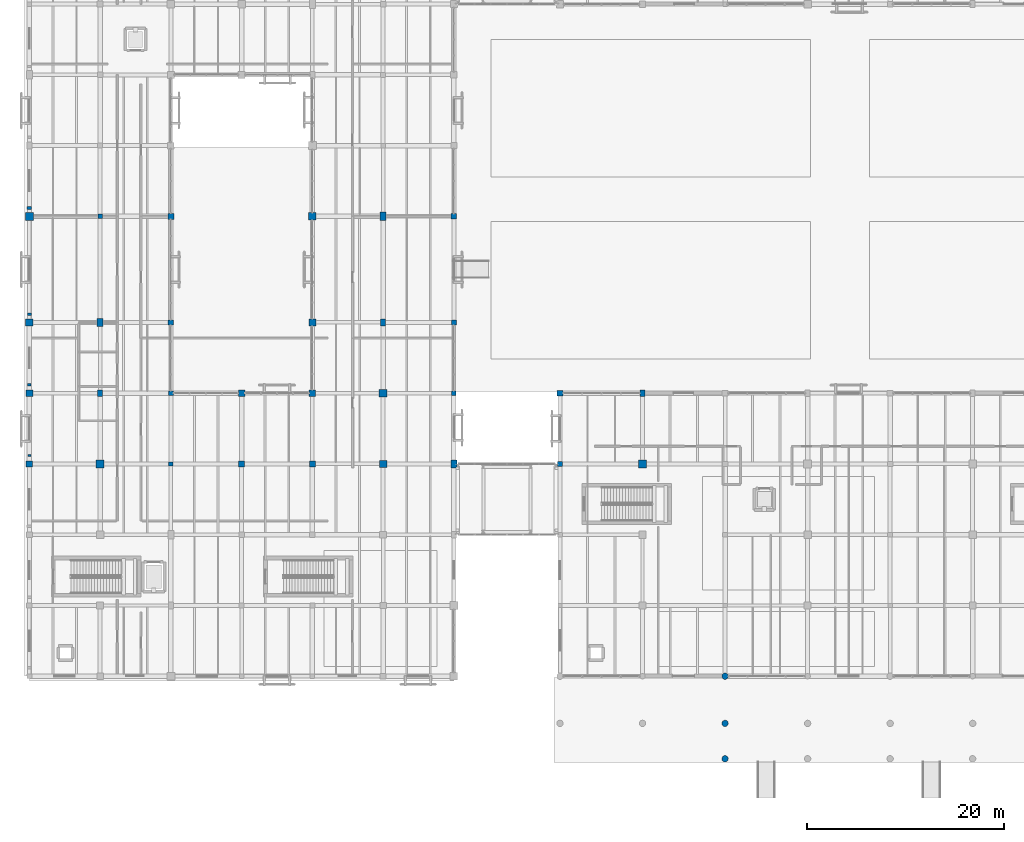
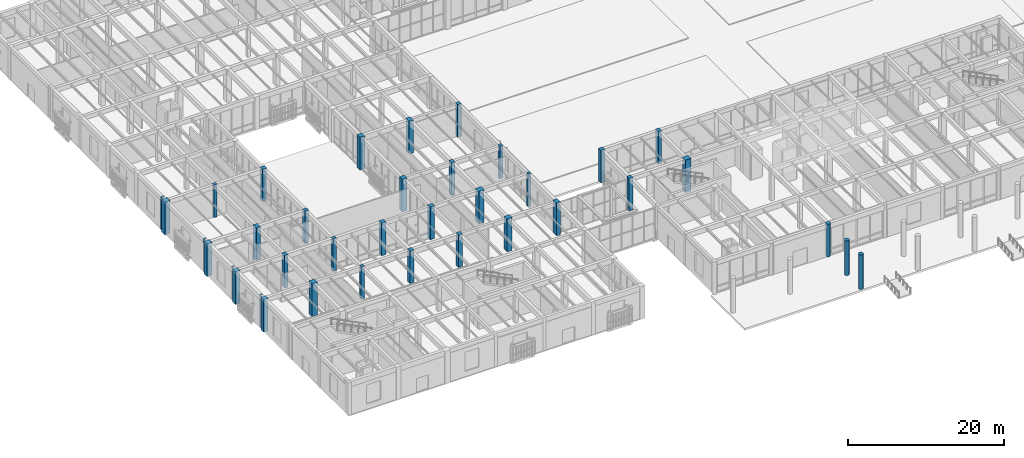
# One storey, part 3 of 169: 37 columns.
"""IFC4 building model written with IfcOpenShell, lengths in metres."""

from ifc_helpers import new_model, si_unit, direction, frame, origin, origin_2d, place, context, subcontext, project, spatial, rectangle, circle, extrude, material, material_profile, profile_set, type_object, element, save


model = new_model("IFC4")

# Units and contexts
model_context = context("Model", 3, precision=1e-05, world=origin(), true_north=direction((0.0, 1.0)))
body_context = subcontext(model_context, "Body", "Model", "MODEL_VIEW")
ifc_project = project(units=[si_unit("LENGTHUNIT", "METRE"), si_unit("AREAUNIT", "SQUARE_METRE"), si_unit("VOLUMEUNIT", "CUBIC_METRE"), si_unit("PLANEANGLEUNIT", "RADIAN"), si_unit("MASSUNIT", "GRAM", prefix="KILO")], contexts=[model_context])

# Site, building, storey
site_placement = place(None, origin())
site = spatial("IfcSite", under=ifc_project, at=site_placement, CompositionType="ELEMENT")
building_placement = place(site_placement, origin())
building = spatial("IfcBuilding", under=site, at=building_placement, Name="Mazaris Harbour Polytechnic", CompositionType="ELEMENT")
storey_placement = place(building_placement, origin())
storey = spatial("IfcBuildingStorey", under=building, at=storey_placement, Name="L00", CompositionType="ELEMENT", Elevation=0.0)

# Columns
ifc_material_1 = material(Name="Concrete C35/45", Category="concrete")
ifc_material_profile_1 = material_profile(ifc_material_1, rectangle(XDim=0.320068359375, YDim=0.219970703125, at=origin_2d()), Name="RECT320x220")
ifc_profile_set_1 = profile_set([ifc_material_profile_1], Name="Concrete C35/45")
column_type_1 = type_object("IfcColumnType", Name="Limestone Pilaster 320x220", PredefinedType="PILASTER", material=ifc_profile_set_1)
column_1_placement = place(storey_placement, frame((0.0, 29.64990234375, 0.0), z_axis=(0.0, 0.0, 1.0), x_axis=(1.0, 0.0, 0.0)))
element("IfcColumn", 1, at=column_1_placement, inside=storey, type_object=column_type_1, Name="V4 L00 Giant Order Pilaster 16", PredefinedType="PILASTER", context=body_context, shape_type="SweptSolid", body=[
    extrude(rectangle(XDim=0.320068359375, YDim=0.219970703125, at=origin_2d()), origin(), (0.0, 0.0, 1.0), 5.10009765625),
])
ifc_material_2 = material(Name="Concrete C35/45", Category="concrete")
ifc_material_profile_2 = material_profile(ifc_material_2, rectangle(XDim=0.360107421875, YDim=0.239990234375, at=origin_2d()), Name="RECT360x240")
ifc_profile_set_2 = profile_set([ifc_material_profile_2], Name="Concrete C35/45")
column_type_2 = type_object("IfcColumnType", Name="Limestone Pilaster 360x240", PredefinedType="PILASTER", material=ifc_profile_set_2)
column_2_placement = place(storey_placement, frame((0.0, 36.85009765625, 0.0), z_axis=(0.0, 0.0, 1.0), x_axis=(1.0, 0.0, 0.0)))
element("IfcColumn", 2, at=column_2_placement, inside=storey, type_object=column_type_2, Name="V4 L00 Giant Order Pilaster 17", PredefinedType="PILASTER", context=body_context, shape_type="SweptSolid", body=[
    extrude(rectangle(XDim=0.360107421875, YDim=0.239990234375, at=origin_2d()), origin(), (0.0, 0.0, 1.0), 5.10009765625),
])
ifc_material_3 = material(Name="Concrete C35/45", Category="concrete")
ifc_material_profile_3 = material_profile(ifc_material_3, rectangle(XDim=0.39990234375, YDim=0.260009765625, at=origin_2d()), Name="RECT400x260")
ifc_profile_set_3 = profile_set([ifc_material_profile_3], Name="Concrete C35/45")
column_type_3 = type_object("IfcColumnType", Name="Limestone Pilaster 400x260", PredefinedType="PILASTER", material=ifc_profile_set_3)
column_3_placement = place(storey_placement, frame((0.0, 44.050048828125, 0.0), z_axis=(0.0, 0.0, 1.0), x_axis=(1.0, 0.0, 0.0)))
element("IfcColumn", 3, at=column_3_placement, inside=storey, type_object=column_type_3, Name="V4 L00 Giant Order Pilaster 18", PredefinedType="PILASTER", context=body_context, shape_type="SweptSolid", body=[
    extrude(rectangle(XDim=0.39990234375, YDim=0.260009765625, at=origin_2d()), origin(), (0.0, 0.0, 1.0), 5.10009765625),
])
ifc_material_4 = material(Name="Concrete C35/45", Category="concrete")
ifc_material_profile_4 = material_profile(ifc_material_4, rectangle(XDim=0.43994140625, YDim=0.280029296875, at=origin_2d()), Name="RECT440x280")
ifc_profile_set_4 = profile_set([ifc_material_profile_4], Name="Concrete C35/45")
column_type_4 = type_object("IfcColumnType", Name="Limestone Pilaster 440x280", PredefinedType="PILASTER", material=ifc_profile_set_4)
column_4_placement = place(storey_placement, frame((0.0, 54.85009765625, 0.0), z_axis=(0.0, 0.0, 1.0), x_axis=(1.0, 0.0, 0.0)))
element("IfcColumn", 4, at=column_4_placement, inside=storey, type_object=column_type_4, Name="V4 L00 Giant Order Pilaster 19", PredefinedType="PILASTER", context=body_context, shape_type="SweptSolid", body=[
    extrude(rectangle(XDim=0.43994140625, YDim=0.280029296875, at=origin_2d()), origin(), (0.0, 0.0, 1.0), 5.10009765625),
])
ifc_material_5 = material(Name="Concrete C40/50", Category="concrete")
ifc_material_profile_5 = material_profile(ifc_material_5, circle(Radius=0.324951171875, at=origin_2d()), Name="DIA650")
ifc_profile_set_5 = profile_set([ifc_material_profile_5], Name="Concrete C40/50")
column_type_5 = type_object("IfcColumnType", Name="RC Colonnade Column D650", PredefinedType="COLUMN", material=ifc_profile_set_5)
column_5_placement = place(storey_placement, frame((70.800048828125, 7.199951171875, 0.0), z_axis=(0.0, 0.0, 1.0), x_axis=(1.0, 0.0, 0.0)))
element("IfcColumn", 5, at=column_5_placement, inside=storey, type_object=column_type_5, Name="V3 L00 Column 438", PredefinedType="COLUMN", context=body_context, shape_type="SweptSolid", body=[
    extrude(circle(Radius=0.324951171875, at=origin_2d()), origin(), (0.0, 0.0, 1.0), 5.10009765625),
])
for number, where, z_axis, x_axis, name in (
    (6, (70.800048828125, 2.39990234375, 0.0), (0.0, 0.0, 1.0), (1.0, 0.0, 0.0), "Harbour Colonnade Column L00-3"),
    (7, (70.800048828125, -1.199951171875, 0.0), (0.0, 0.0, 1.0), (1.0, 0.0, 0.0), "Portico Giant-Order Column L00-1"),
):
    element("IfcColumn", number, at=place(storey_placement, frame(where, z_axis=z_axis, x_axis=x_axis)), inside=storey, type_object=column_type_5, Name=name, PredefinedType="COLUMN", context=body_context, shape_type="SweptSolid", body=[
        extrude(circle(Radius=0.324951171875, at=origin_2d()), origin(), (0.0, 0.0, 1.0), 5.39990234375),
    ])
ifc_material_6 = material(Name="Concrete C40/50", Category="concrete")
ifc_material_profile_6 = material_profile(ifc_material_6, rectangle(XDim=0.449951171875, YDim=0.449951171875, at=origin_2d()), Name="RECT450x450")
ifc_profile_set_6 = profile_set([ifc_material_profile_6], Name="Concrete C40/50")
column_type_6 = type_object("IfcColumnType", Name="RC Column 450x450", PredefinedType="COLUMN", material=ifc_profile_set_6)
for number, where, z_axis, x_axis, name in (
    (8, (7.199951171875, 54.0, 0.0), (0.0, 0.0, 1.0), (1.0, 0.0, 0.0), "V4 L00 Column 659"),
    (9, (14.39990234375, 28.800048828125, 0.0), (0.0, 0.0, 1.0), (1.0, 0.0, 0.0), "V4 L00 Column 669"),
):
    element("IfcColumn", number, at=place(storey_placement, frame(where, z_axis=z_axis, x_axis=x_axis)), inside=storey, type_object=column_type_6, Name=name, PredefinedType="COLUMN", context=body_context, shape_type="SweptSolid", body=[
        extrude(rectangle(XDim=0.449951171875, YDim=0.449951171875, at=origin_2d()), origin(), (0.0, 0.0, 1.0), 5.10009765625),
    ])
ifc_material_7 = material(Name="Concrete C40/50", Category="concrete")
ifc_material_profile_7 = material_profile(ifc_material_7, rectangle(XDim=0.449951171875, YDim=0.449951171875, at=origin_2d()), Name="RECT450x450")
ifc_profile_set_7 = profile_set([ifc_material_profile_7], Name="Concrete C40/50")
column_type_7 = type_object("IfcColumnType", Name="RC Column 450x450 Exterior", PredefinedType="COLUMN", material=ifc_profile_set_7)
column_6_placement = place(storey_placement, frame((43.199951171875, 36.0, 0.0), z_axis=(0.0, 0.0, 1.0), x_axis=(1.0, 0.0, 0.0)))
element("IfcColumn", 10, at=column_6_placement, inside=storey, type_object=column_type_7, Name="V4 L00 Column 719", PredefinedType="COLUMN", context=body_context, shape_type="SweptSolid", body=[
    extrude(rectangle(XDim=0.449951171875, YDim=0.449951171875, at=origin_2d()), origin(), (0.0, 0.0, 1.0), 5.10009765625),
])
ifc_material_8 = material(Name="Concrete C40/50", Category="concrete")
ifc_material_profile_8 = material_profile(ifc_material_8, rectangle(XDim=0.5, YDim=0.5, at=origin_2d()), Name="RECT500x500")
ifc_profile_set_8 = profile_set([ifc_material_profile_8], Name="Concrete C40/50")
column_type_8 = type_object("IfcColumnType", Name="RC Column 500x500", PredefinedType="COLUMN", material=ifc_profile_set_8)
column_7_placement = place(storey_placement, frame((14.39990234375, 36.0, 0.0), z_axis=(0.0, 0.0, 1.0), x_axis=(1.0, 0.0, 0.0)))
element("IfcColumn", 11, at=column_7_placement, inside=storey, type_object=column_type_8, Name="V4 L00 Column 670", PredefinedType="COLUMN", context=body_context, shape_type="SweptSolid", body=[
    extrude(rectangle(XDim=0.5, YDim=0.5, at=origin_2d()), origin(), (0.0, 0.0, 1.0), 5.10009765625),
])
ifc_material_9 = material(Name="Concrete C40/50", Category="concrete")
ifc_material_profile_9 = material_profile(ifc_material_9, rectangle(XDim=0.5, YDim=0.5, at=origin_2d()), Name="RECT500x500")
ifc_profile_set_9 = profile_set([ifc_material_profile_9], Name="Concrete C40/50")
column_type_9 = type_object("IfcColumnType", Name="RC Column 500x500 Exterior", PredefinedType="COLUMN", material=ifc_profile_set_9)
column_8_placement = place(storey_placement, frame((43.199951171875, 43.199951171875, 0.0), z_axis=(0.0, 0.0, 1.0), x_axis=(1.0, 0.0, 0.0)))
element("IfcColumn", 12, at=column_8_placement, inside=storey, type_object=column_type_9, Name="V4 L00 Column 720", PredefinedType="COLUMN", context=body_context, shape_type="SweptSolid", body=[
    extrude(rectangle(XDim=0.5, YDim=0.5, at=origin_2d()), origin(), (0.0, 0.0, 1.0), 5.10009765625),
])
ifc_material_10 = material(Name="Concrete C40/50", Category="concrete")
ifc_material_profile_10 = material_profile(ifc_material_10, rectangle(XDim=0.5, YDim=0.699951171875, at=origin_2d()), Name="RECT500x700")
ifc_profile_set_10 = profile_set([ifc_material_profile_10], Name="Concrete C40/50")
column_type_10 = type_object("IfcColumnType", Name="RC Column 500x700", PredefinedType="COLUMN", material=ifc_profile_set_10)
for number, where, z_axis, x_axis, name in (
    (13, (7.199951171875, 36.0, 0.0), (0.0, 0.0, 1.0), (1.0, 0.0, 0.0), "V4 L00 Column 657"),
    (14, (36.0, 43.199951171875, 0.0), (0.0, 0.0, 1.0), (1.0, 0.0, 0.0), "V4 L00 Column 707"),
):
    element("IfcColumn", number, at=place(storey_placement, frame(where, z_axis=z_axis, x_axis=x_axis)), inside=storey, type_object=column_type_10, Name=name, PredefinedType="COLUMN", context=body_context, shape_type="SweptSolid", body=[
        extrude(rectangle(XDim=0.5, YDim=0.699951171875, at=origin_2d()), origin(), (0.0, 0.0, 1.0), 5.10009765625),
    ])
ifc_material_11 = material(Name="Concrete C40/50", Category="concrete")
ifc_material_profile_11 = material_profile(ifc_material_11, rectangle(XDim=0.5, YDim=0.699951171875, at=origin_2d()), Name="RECT500x700")
ifc_profile_set_11 = profile_set([ifc_material_profile_11], Name="Concrete C40/50")
column_type_11 = type_object("IfcColumnType", Name="RC Column 500x700 Exterior", PredefinedType="COLUMN", material=ifc_profile_set_11)
column_9_placement = place(storey_placement, frame((62.39990234375, 36.0, 0.0), z_axis=(0.0, 0.0, 1.0), x_axis=(1.0, 0.0, 0.0)))
element("IfcColumn", 15, at=column_9_placement, inside=storey, type_object=column_type_11, Name="V3 L00 Column 437", PredefinedType="COLUMN", context=body_context, shape_type="SweptSolid", body=[
    extrude(rectangle(XDim=0.5, YDim=0.699951171875, at=origin_2d()), origin(), (0.0, 0.0, 1.0), 5.10009765625),
])
ifc_material_12 = material(Name="Concrete C40/50", Category="concrete")
ifc_material_profile_12 = material_profile(ifc_material_12, rectangle(XDim=0.550048828125, YDim=0.550048828125, at=origin_2d()), Name="RECT550x550")
ifc_profile_set_12 = profile_set([ifc_material_profile_12], Name="Concrete C40/50")
column_type_12 = type_object("IfcColumnType", Name="RC Column 550x550", PredefinedType="COLUMN", material=ifc_profile_set_12)
column_10_placement = place(storey_placement, frame((14.39990234375, 43.199951171875, 0.0), z_axis=(0.0, 0.0, 1.0), x_axis=(1.0, 0.0, 0.0)))
element("IfcColumn", 16, at=column_10_placement, inside=storey, type_object=column_type_12, Name="V4 L00 Column 671", PredefinedType="COLUMN", context=body_context, shape_type="SweptSolid", body=[
    extrude(rectangle(XDim=0.550048828125, YDim=0.550048828125, at=origin_2d()), origin(), (0.0, 0.0, 1.0), 5.10009765625),
])
ifc_material_13 = material(Name="Concrete C40/50", Category="concrete")
ifc_material_profile_13 = material_profile(ifc_material_13, rectangle(XDim=0.550048828125, YDim=0.550048828125, at=origin_2d()), Name="RECT550x550")
ifc_profile_set_13 = profile_set([ifc_material_profile_13], Name="Concrete C40/50")
column_type_13 = type_object("IfcColumnType", Name="RC Column 550x550 Exterior", PredefinedType="COLUMN", material=ifc_profile_set_13)
for number, where, z_axis, x_axis, name in (
    (17, (54.0, 28.800048828125, 0.0), (0.0, 0.0, 1.0), (1.0, 0.0, 0.0), "V3 L00 Column 431"),
    (18, (43.199951171875, 54.0, 0.0), (0.0, 0.0, 1.0), (1.0, 0.0, 0.0), "V4 L00 Column 721"),
):
    element("IfcColumn", number, at=place(storey_placement, frame(where, z_axis=z_axis, x_axis=x_axis)), inside=storey, type_object=column_type_13, Name=name, PredefinedType="COLUMN", context=body_context, shape_type="SweptSolid", body=[
        extrude(rectangle(XDim=0.550048828125, YDim=0.550048828125, at=origin_2d()), origin(), (0.0, 0.0, 1.0), 5.10009765625),
    ])
ifc_material_14 = material(Name="Concrete C40/50", Category="concrete")
ifc_material_profile_14 = material_profile(ifc_material_14, rectangle(XDim=0.60009765625, YDim=0.60009765625, at=origin_2d()), Name="RECT600x600")
ifc_profile_set_14 = profile_set([ifc_material_profile_14], Name="Concrete C40/50")
column_type_14 = type_object("IfcColumnType", Name="RC Column 600x600", PredefinedType="COLUMN", material=ifc_profile_set_14)
for number, where, z_axis, x_axis, name in (
    (19, (14.39990234375, 54.0, 0.0), (0.0, 0.0, 1.0), (1.0, 0.0, 0.0), "V4 L00 Column 672"),
    (20, (21.60009765625, 28.800048828125, 0.0), (0.0, 0.0, 1.0), (1.0, 0.0, 0.0), "V4 L00 Column 682"),
    (21, (28.800048828125, 28.800048828125, 0.0), (0.0, 0.0, 1.0), (1.0, 0.0, 0.0), "V4 L00 Column 692"),
):
    element("IfcColumn", number, at=place(storey_placement, frame(where, z_axis=z_axis, x_axis=x_axis)), inside=storey, type_object=column_type_14, Name=name, PredefinedType="COLUMN", context=body_context, shape_type="SweptSolid", body=[
        extrude(rectangle(XDim=0.60009765625, YDim=0.60009765625, at=origin_2d()), origin(), (0.0, 0.0, 1.0), 5.10009765625),
    ])
ifc_material_15 = material(Name="Concrete C40/50", Category="concrete")
ifc_material_profile_15 = material_profile(ifc_material_15, rectangle(XDim=0.60009765625, YDim=0.60009765625, at=origin_2d()), Name="RECT600x600")
ifc_profile_set_15 = profile_set([ifc_material_profile_15], Name="Concrete C40/50")
column_type_15 = type_object("IfcColumnType", Name="RC Column 600x600 Exterior", PredefinedType="COLUMN", material=ifc_profile_set_15)
column_11_placement = place(storey_placement, frame((54.0, 36.0, 0.0), z_axis=(0.0, 0.0, 1.0), x_axis=(1.0, 0.0, 0.0)))
element("IfcColumn", 22, at=column_11_placement, inside=storey, type_object=column_type_15, Name="V3 L00 Column 432", PredefinedType="COLUMN", context=body_context, shape_type="SweptSolid", body=[
    extrude(rectangle(XDim=0.60009765625, YDim=0.60009765625, at=origin_2d()), origin(), (0.0, 0.0, 1.0), 5.10009765625),
])
ifc_material_16 = material(Name="Concrete C40/50", Category="concrete")
ifc_material_profile_16 = material_profile(ifc_material_16, rectangle(XDim=0.60009765625, YDim=0.85009765625, at=origin_2d()), Name="RECT600x850")
ifc_profile_set_16 = profile_set([ifc_material_profile_16], Name="Concrete C40/50")
column_type_16 = type_object("IfcColumnType", Name="RC Column 600x850", PredefinedType="COLUMN", material=ifc_profile_set_16)
for number, where, z_axis, x_axis, name in (
    (23, (7.199951171875, 43.199951171875, 0.0), (0.0, 0.0, 1.0), (1.0, 0.0, 0.0), "V4 L00 Column 658"),
    (24, (36.0, 54.0, 0.0), (0.0, 0.0, 1.0), (1.0, 0.0, 0.0), "V4 L00 Column 708"),
):
    element("IfcColumn", number, at=place(storey_placement, frame(where, z_axis=z_axis, x_axis=x_axis)), inside=storey, type_object=column_type_16, Name=name, PredefinedType="COLUMN", context=body_context, shape_type="SweptSolid", body=[
        extrude(rectangle(XDim=0.60009765625, YDim=0.85009765625, at=origin_2d()), origin(), (0.0, 0.0, 1.0), 5.10009765625),
    ])
ifc_material_17 = material(Name="Concrete C40/50", Category="concrete")
ifc_material_profile_17 = material_profile(ifc_material_17, rectangle(XDim=0.60009765625, YDim=0.85009765625, at=origin_2d()), Name="RECT600x850")
ifc_profile_set_17 = profile_set([ifc_material_profile_17], Name="Concrete C40/50")
column_type_17 = type_object("IfcColumnType", Name="RC Column 600x850 Exterior", PredefinedType="COLUMN", material=ifc_profile_set_17)
column_12_placement = place(storey_placement, frame((43.199951171875, 28.800048828125, 0.0), z_axis=(0.0, 0.0, 1.0), x_axis=(1.0, 0.0, 0.0)))
element("IfcColumn", 25, at=column_12_placement, inside=storey, type_object=column_type_17, Name="V4 L00 Column 718", PredefinedType="COLUMN", context=body_context, shape_type="SweptSolid", body=[
    extrude(rectangle(XDim=0.60009765625, YDim=0.85009765625, at=origin_2d()), origin(), (0.0, 0.0, 1.0), 5.10009765625),
])
ifc_material_18 = material(Name="Concrete C40/50", Category="concrete")
ifc_material_profile_18 = material_profile(ifc_material_18, rectangle(XDim=0.64990234375, YDim=0.64990234375, at=origin_2d()), Name="RECT650x650")
ifc_profile_set_18 = profile_set([ifc_material_profile_18], Name="Concrete C40/50")
column_type_18 = type_object("IfcColumnType", Name="RC Column 650x650", PredefinedType="COLUMN", material=ifc_profile_set_18)
for number, where, z_axis, x_axis, name in (
    (26, (21.60009765625, 36.0, 0.0), (0.0, 0.0, 1.0), (1.0, 0.0, 0.0), "V4 L00 Column 683"),
    (27, (28.800048828125, 36.0, 0.0), (0.0, 0.0, 1.0), (1.0, 0.0, 0.0), "V4 L00 Column 693"),
):
    element("IfcColumn", number, at=place(storey_placement, frame(where, z_axis=z_axis, x_axis=x_axis)), inside=storey, type_object=column_type_18, Name=name, PredefinedType="COLUMN", context=body_context, shape_type="SweptSolid", body=[
        extrude(rectangle(XDim=0.64990234375, YDim=0.64990234375, at=origin_2d()), origin(), (0.0, 0.0, 1.0), 5.10009765625),
    ])
ifc_material_19 = material(Name="Concrete C40/50", Category="concrete")
ifc_material_profile_19 = material_profile(ifc_material_19, rectangle(XDim=0.64990234375, YDim=0.64990234375, at=origin_2d()), Name="RECT650x650")
ifc_profile_set_19 = profile_set([ifc_material_profile_19], Name="Concrete C40/50")
column_type_19 = type_object("IfcColumnType", Name="RC Column 650x650 Exterior", PredefinedType="COLUMN", material=ifc_profile_set_19)
column_13_placement = place(storey_placement, frame((0.0, 28.800048828125, 0.0), z_axis=(0.0, 0.0, 1.0), x_axis=(1.0, 0.0, 0.0)))
element("IfcColumn", 28, at=column_13_placement, inside=storey, type_object=column_type_19, Name="V4 L00 Column 643", PredefinedType="COLUMN", context=body_context, shape_type="SweptSolid", body=[
    extrude(rectangle(XDim=0.64990234375, YDim=0.64990234375, at=origin_2d()), origin(), (0.0, 0.0, 1.0), 5.10009765625),
])
ifc_material_20 = material(Name="Concrete C40/50", Category="concrete")
ifc_material_profile_20 = material_profile(ifc_material_20, rectangle(XDim=0.699951171875, YDim=0.699951171875, at=origin_2d()), Name="RECT700x700")
ifc_profile_set_20 = profile_set([ifc_material_profile_20], Name="Concrete C40/50")
column_type_20 = type_object("IfcColumnType", Name="RC Column 700x700", PredefinedType="COLUMN", material=ifc_profile_set_20)
column_14_placement = place(storey_placement, frame((28.800048828125, 43.199951171875, 0.0), z_axis=(0.0, 0.0, 1.0), x_axis=(1.0, 0.0, 0.0)))
element("IfcColumn", 29, at=column_14_placement, inside=storey, type_object=column_type_20, Name="V4 L00 Column 694", PredefinedType="COLUMN", context=body_context, shape_type="SweptSolid", body=[
    extrude(rectangle(XDim=0.699951171875, YDim=0.699951171875, at=origin_2d()), origin(), (0.0, 0.0, 1.0), 5.10009765625),
])
ifc_material_21 = material(Name="Concrete C40/50", Category="concrete")
ifc_material_profile_21 = material_profile(ifc_material_21, rectangle(XDim=0.699951171875, YDim=0.699951171875, at=origin_2d()), Name="RECT700x700")
ifc_profile_set_21 = profile_set([ifc_material_profile_21], Name="Concrete C40/50")
column_type_21 = type_object("IfcColumnType", Name="RC Column 700x700 Exterior", PredefinedType="COLUMN", material=ifc_profile_set_21)
column_15_placement = place(storey_placement, frame((0.0, 36.0, 0.0), z_axis=(0.0, 0.0, 1.0), x_axis=(1.0, 0.0, 0.0)))
element("IfcColumn", 30, at=column_15_placement, inside=storey, type_object=column_type_21, Name="V4 L00 Column 644", PredefinedType="COLUMN", context=body_context, shape_type="SweptSolid", body=[
    extrude(rectangle(XDim=0.699951171875, YDim=0.699951171875, at=origin_2d()), origin(), (0.0, 0.0, 1.0), 5.10009765625),
])
ifc_material_22 = material(Name="Concrete C40/50", Category="concrete")
ifc_material_profile_22 = material_profile(ifc_material_22, rectangle(XDim=0.75, YDim=0.75, at=origin_2d()), Name="RECT750x750")
ifc_profile_set_22 = profile_set([ifc_material_profile_22], Name="Concrete C40/50")
column_type_22 = type_object("IfcColumnType", Name="RC Column 750x750", PredefinedType="COLUMN", material=ifc_profile_set_22)
for number, where, z_axis, x_axis, name in (
    (31, (28.800048828125, 54.0, 0.0), (0.0, 0.0, 1.0), (1.0, 0.0, 0.0), "V4 L00 Column 695"),
    (32, (36.0, 28.800048828125, 0.0), (0.0, 0.0, 1.0), (1.0, 0.0, 0.0), "V4 L00 Column 705"),
):
    element("IfcColumn", number, at=place(storey_placement, frame(where, z_axis=z_axis, x_axis=x_axis)), inside=storey, type_object=column_type_22, Name=name, PredefinedType="COLUMN", context=body_context, shape_type="SweptSolid", body=[
        extrude(rectangle(XDim=0.75, YDim=0.75, at=origin_2d()), origin(), (0.0, 0.0, 1.0), 5.10009765625),
    ])
ifc_material_23 = material(Name="Concrete C40/50", Category="concrete")
ifc_material_profile_23 = material_profile(ifc_material_23, rectangle(XDim=0.75, YDim=0.75, at=origin_2d()), Name="RECT750x750")
ifc_profile_set_23 = profile_set([ifc_material_profile_23], Name="Concrete C40/50")
column_type_23 = type_object("IfcColumnType", Name="RC Column 750x750 Exterior", PredefinedType="COLUMN", material=ifc_profile_set_23)
column_16_placement = place(storey_placement, frame((0.0, 43.199951171875, 0.0), z_axis=(0.0, 0.0, 1.0), x_axis=(1.0, 0.0, 0.0)))
element("IfcColumn", 33, at=column_16_placement, inside=storey, type_object=column_type_23, Name="V4 L00 Column 645", PredefinedType="COLUMN", context=body_context, shape_type="SweptSolid", body=[
    extrude(rectangle(XDim=0.75, YDim=0.75, at=origin_2d()), origin(), (0.0, 0.0, 1.0), 5.10009765625),
])
ifc_material_24 = material(Name="Concrete C40/50", Category="concrete")
ifc_material_profile_24 = material_profile(ifc_material_24, rectangle(XDim=0.800048828125, YDim=0.800048828125, at=origin_2d()), Name="RECT800x800")
ifc_profile_set_24 = profile_set([ifc_material_profile_24], Name="Concrete C40/50")
column_type_24 = type_object("IfcColumnType", Name="RC Column 800x800", PredefinedType="COLUMN", material=ifc_profile_set_24)
for number, where, z_axis, x_axis, name in (
    (34, (62.39990234375, 28.800048828125, 0.0), (0.0, 0.0, 1.0), (1.0, 0.0, 0.0), "V3 L00 Column 436"),
    (35, (7.199951171875, 28.800048828125, 0.0), (0.0, 0.0, 1.0), (1.0, 0.0, 0.0), "V4 L00 Column 656"),
    (36, (36.0, 36.0, 0.0), (0.0, 0.0, 1.0), (1.0, 0.0, 0.0), "V4 L00 Column 706"),
):
    element("IfcColumn", number, at=place(storey_placement, frame(where, z_axis=z_axis, x_axis=x_axis)), inside=storey, type_object=column_type_24, Name=name, PredefinedType="COLUMN", context=body_context, shape_type="SweptSolid", body=[
        extrude(rectangle(XDim=0.800048828125, YDim=0.800048828125, at=origin_2d()), origin(), (0.0, 0.0, 1.0), 5.10009765625),
    ])
ifc_material_25 = material(Name="Concrete C40/50", Category="concrete")
ifc_material_profile_25 = material_profile(ifc_material_25, rectangle(XDim=0.800048828125, YDim=0.800048828125, at=origin_2d()), Name="RECT800x800")
ifc_profile_set_25 = profile_set([ifc_material_profile_25], Name="Concrete C40/50")
column_type_25 = type_object("IfcColumnType", Name="RC Column 800x800 Exterior", PredefinedType="COLUMN", material=ifc_profile_set_25)
column_17_placement = place(storey_placement, frame((0.0, 54.0, 0.0), z_axis=(0.0, 0.0, 1.0), x_axis=(1.0, 0.0, 0.0)))
element("IfcColumn", 37, at=column_17_placement, inside=storey, type_object=column_type_25, Name="V4 L00 Column 646", PredefinedType="COLUMN", context=body_context, shape_type="SweptSolid", body=[
    extrude(rectangle(XDim=0.800048828125, YDim=0.800048828125, at=origin_2d()), origin(), (0.0, 0.0, 1.0), 5.10009765625),
])

save(model, "model.ifc")
